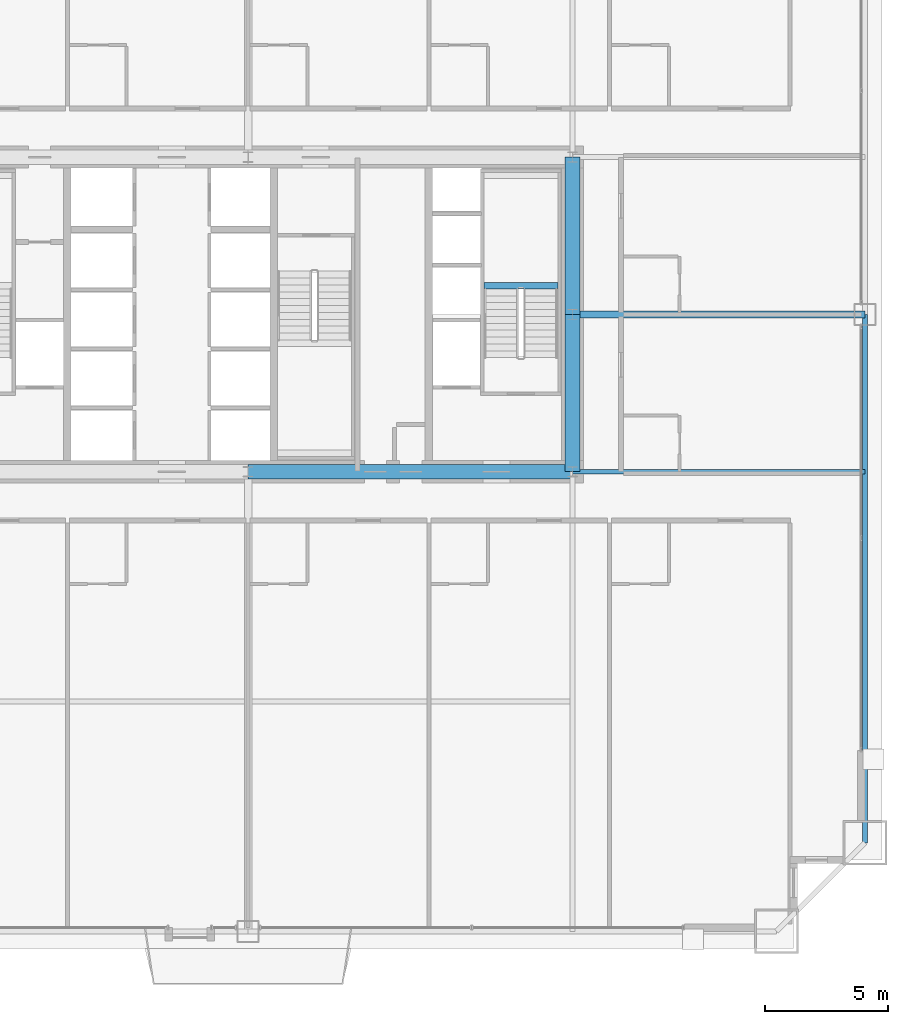
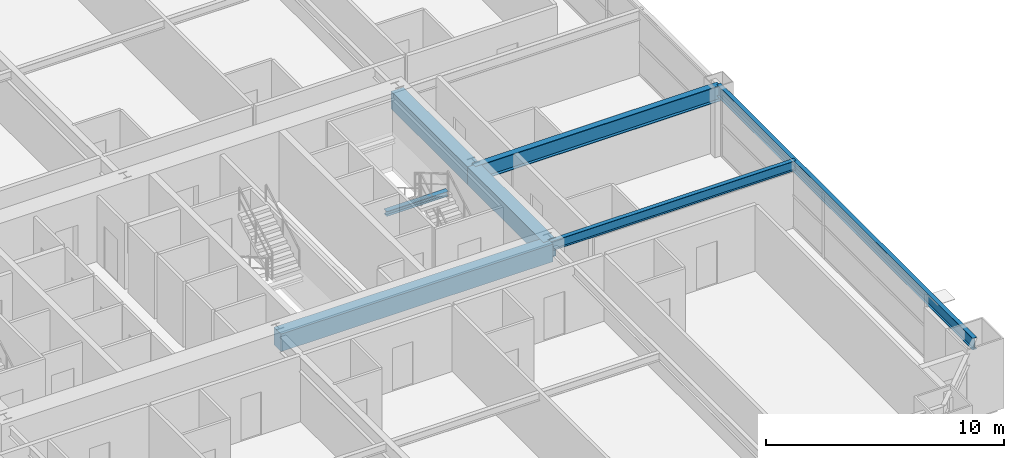
# One storey, part 19 of 45: 7 beams.
"""IFC4 building model written with IfcOpenShell, lengths in metres."""

from ifc_helpers import new_model, si_unit, direction, frame, origin, origin_2d, place, context, subcontext, project, spatial, rectangle, i_section, extrude, source, transform, mapped, material, material_profile, profile_set, type_object, element, save


model = new_model("IFC4")

# Units and contexts
model_context = context("Model", 3, precision=1e-05, world=origin(), true_north=direction((0.0, 1.0)))
body_context = subcontext(model_context, "Body", "Model", "MODEL_VIEW")
ifc_project = project(units=[si_unit("LENGTHUNIT", "METRE"), si_unit("AREAUNIT", "SQUARE_METRE"), si_unit("VOLUMEUNIT", "CUBIC_METRE"), si_unit("PLANEANGLEUNIT", "RADIAN"), si_unit("MASSUNIT", "GRAM", prefix="KILO"), si_unit("THERMODYNAMICTEMPERATUREUNIT", "KELVIN"), si_unit("POWERUNIT", "WATT")], contexts=[model_context])

# Site, building, storey
site_placement = place(None, origin())
site = spatial("IfcSite", under=ifc_project, at=site_placement, CompositionType="ELEMENT")
building_placement = place(site_placement, origin())
building = spatial("IfcBuilding", under=site, at=building_placement, Name="Yuzanri Waterfront Tower", CompositionType="ELEMENT")
storey_placement = place(building_placement, frame((0.0, 0.0, 34.199951171875)))
storey = spatial("IfcBuildingStorey", under=building, at=storey_placement, Name="L08", CompositionType="ELEMENT", Elevation=34.199951171875)

# Beams
ifc_material_1 = material(Name="Concrete C60", Category="concrete")
ifc_material_profile_1 = material_profile(ifc_material_1, rectangle(XDim=0.60009765625, YDim=0.89990234375, at=origin_2d()), Name="RC 600x900")
ifc_profile_set_1 = profile_set([ifc_material_profile_1], Name="Concrete C60")
beam_type_1 = type_object("IfcBeamType", Name="Core Coupling Lintel Concrete C60 600x900", PredefinedType="LINTEL", material=ifc_profile_set_1)
shared_shape_1 = source(origin(), body_context, "Body", "SweptSolid", [
    extrude(rectangle(XDim=0.60009765625, YDim=0.89990234375, at=origin_2d()), origin(), (0.0, 0.0, 1.0), 13.199951171875),
])
beam_1_placement = place(storey_placement, frame((37.0, 19.39990234375, 2.929931640625), z_axis=(1.0, 0.0, 0.0), x_axis=(0.0, 1.0, 0.0)))
element("IfcBeam", 1, at=beam_1_placement, inside=storey, type_object=beam_type_1, Name="L08 Core Tie Beam CS2", PredefinedType="LINTEL", context=body_context, shape_type="MappedRepresentation", body=[
    mapped(shared_shape_1, transform((0.0, 0.0, 0.0), scale=1.0)),
])
shared_shape_2 = source(origin(), body_context, "Body", "SweptSolid", [
    extrude(rectangle(XDim=0.60009765625, YDim=0.89990234375, at=origin_2d()), origin(), (0.0, 0.0, 1.0), 6.400146484375),
])
beam_2_placement = place(storey_placement, frame((50.199951171875, 19.39990234375, 2.929931640625), z_axis=(0.0, 1.0, 0.0), x_axis=(-1.0, 0.0, 0.0)))
element("IfcBeam", 2, at=beam_2_placement, inside=storey, type_object=beam_type_1, Name="L08 Core Tie Beam CE1", PredefinedType="LINTEL", context=body_context, shape_type="MappedRepresentation", body=[
    mapped(shared_shape_2, transform((0.0, 0.0, 0.0), scale=1.0)),
])
shared_shape_3 = source(origin(), body_context, "Body", "SweptSolid", [
    extrude(rectangle(XDim=0.60009765625, YDim=0.89990234375, at=origin_2d()), origin(), (0.0, 0.0, 1.0), 6.39990234375),
])
beam_3_placement = place(storey_placement, frame((50.199951171875, 25.800048828125, 2.929931640625), z_axis=(0.0, 1.0, 0.0), x_axis=(-1.0, 0.0, 0.0)))
element("IfcBeam", 3, at=beam_3_placement, inside=storey, type_object=beam_type_1, Name="L08 Core Tie Beam CE2", PredefinedType="LINTEL", context=body_context, shape_type="MappedRepresentation", body=[
    mapped(shared_shape_3, transform((0.0, 0.0, 0.0), scale=1.0)),
])
ifc_material_2 = material(Name="Steel Q355B", Category="steel")
ifc_material_profile_2 = material_profile(ifc_material_2, i_section(OverallWidth=0.199951171875, OverallDepth=0.60009765625, WebThickness=0.010986328125, FlangeThickness=0.01708984375, at=origin_2d()), Name="HN 600x200x11x17")
ifc_profile_set_2 = profile_set([ifc_material_profile_2], Name="Steel Q355B")
beam_type_2 = type_object("IfcBeamType", Name="Perimeter Spandrel Q355B HN 600x200", PredefinedType="SPANDREL", material=ifc_profile_set_2)
shared_shape_4 = source(origin(), body_context, "Body", "SweptSolid", [
    extrude(i_section(OverallWidth=0.199951171875, OverallDepth=0.60009765625, WebThickness=0.010986328125, FlangeThickness=0.01708984375, at=origin_2d()), origin(), (0.0, 0.0, 1.0), 21.5),
])
beam_4_placement = place(storey_placement, frame((62.10009765625, 4.300048828125, 3.080078125), z_axis=(0.0, 1.0, 0.0), x_axis=(-1.0, 0.0, 0.0)))
element("IfcBeam", 4, at=beam_4_placement, inside=storey, type_object=beam_type_2, Name="L08 Perimeter Spandrel E1-E2", PredefinedType="SPANDREL", context=body_context, shape_type="MappedRepresentation", body=[
    mapped(shared_shape_4, transform((0.0, 0.0, 0.0), scale=1.0)),
])
ifc_material_3 = material(Name="Steel Q355B", Category="steel")
ifc_material_profile_3 = material_profile(ifc_material_3, i_section(OverallWidth=0.300048828125, OverallDepth=0.800048828125, WebThickness=0.013916015625, FlangeThickness=0.02587890625, at=origin_2d()), Name="HN 800x300x14x26")
ifc_profile_set_3 = profile_set([ifc_material_profile_3], Name="Steel Q355B")
beam_type_3 = type_object("IfcBeamType", Name="Primary Floor Girder Q355B HN 800x300", PredefinedType="BEAM", material=ifc_profile_set_3)
shared_shape_5 = source(origin(), body_context, "Body", "SweptSolid", [
    extrude(i_section(OverallWidth=0.300048828125, OverallDepth=0.800048828125, WebThickness=0.013916015625, FlangeThickness=0.02587890625, at=origin_2d()), origin(), (0.0, 0.0, 1.0), 11.900146484375),
])
beam_5_placement = place(storey_placement, frame((50.199951171875, 25.800048828125, 2.97998046875), z_axis=(1.0, 0.0, 0.0), x_axis=(0.0, 1.0, 0.0)))
element("IfcBeam", 5, at=beam_5_placement, inside=storey, type_object=beam_type_3, Name="L08 East Grid Girder", PredefinedType="BEAM", context=body_context, shape_type="MappedRepresentation", body=[
    mapped(shared_shape_5, transform((0.0, 0.0, 0.0), scale=1.0)),
])
ifc_material_4 = material(Name="Steel Q355B", Category="steel")
ifc_material_profile_4 = material_profile(ifc_material_4, i_section(OverallWidth=0.199951171875, OverallDepth=0.5, WebThickness=0.010009765625, FlangeThickness=0.01611328125, at=origin_2d()), Name="HN 500x200x10x16")
ifc_profile_set_4 = profile_set([ifc_material_profile_4], Name="Steel Q355B")
beam_type_4 = type_object("IfcBeamType", Name="Secondary Floor Beam Q355B HN 500x200", PredefinedType="BEAM", material=ifc_profile_set_4)
shared_shape_6 = source(origin(), body_context, "Body", "SweptSolid", [
    extrude(i_section(OverallWidth=0.199951171875, OverallDepth=0.5, WebThickness=0.010009765625, FlangeThickness=0.01611328125, at=origin_2d()), origin(), (0.0, 0.0, 1.0), 11.900146484375),
])
beam_6_placement = place(storey_placement, frame((50.199951171875, 19.39990234375, 3.130126953125), z_axis=(1.0, 0.0, 0.0), x_axis=(0.0, 1.0, 0.0)))
element("IfcBeam", 6, at=beam_6_placement, inside=storey, type_object=beam_type_4, Name="L08 East-South Core Line Beam", PredefinedType="BEAM", context=body_context, shape_type="MappedRepresentation", body=[
    mapped(shared_shape_6, transform((0.0, 0.0, 0.0), scale=1.0)),
])
ifc_material_5 = material(Name="Steel Q355B", Category="steel")
ifc_material_profile_5 = material_profile(ifc_material_5, i_section(OverallWidth=0.25, OverallDepth=0.25, WebThickness=0.009033203125, FlangeThickness=0.013916015625, at=origin_2d()), Name="HW 250x250x9x14")
ifc_profile_set_5 = profile_set([ifc_material_profile_5], Name="Steel Q355B")
beam_type_5 = type_object("IfcBeamType", Name="Stair Landing Support Beam Q355B HW 250x250", PredefinedType="BEAM", material=ifc_profile_set_5)
shared_shape_7 = source(origin(), body_context, "Body", "SweptSolid", [
    extrude(i_section(OverallWidth=0.25, OverallDepth=0.25, WebThickness=0.009033203125, FlangeThickness=0.013916015625, at=origin_2d()), origin(), (0.0, 0.0, 1.0), 3.0),
])
beam_7_placement = place(storey_placement, frame((46.60009765625, 26.969970703125, 1.47509765625), z_axis=(1.0, 0.0, 0.0), x_axis=(0.0, 1.0, 0.0)))
element("IfcBeam", 7, at=beam_7_placement, inside=storey, type_object=beam_type_5, Name="L08 Stair Landing Support Beam ST-02-L08-L1-1", PredefinedType="BEAM", context=body_context, shape_type="MappedRepresentation", body=[
    mapped(shared_shape_7, transform((0.0, 0.0, 0.0), scale=1.0)),
])

save(model, "model.ifc")
